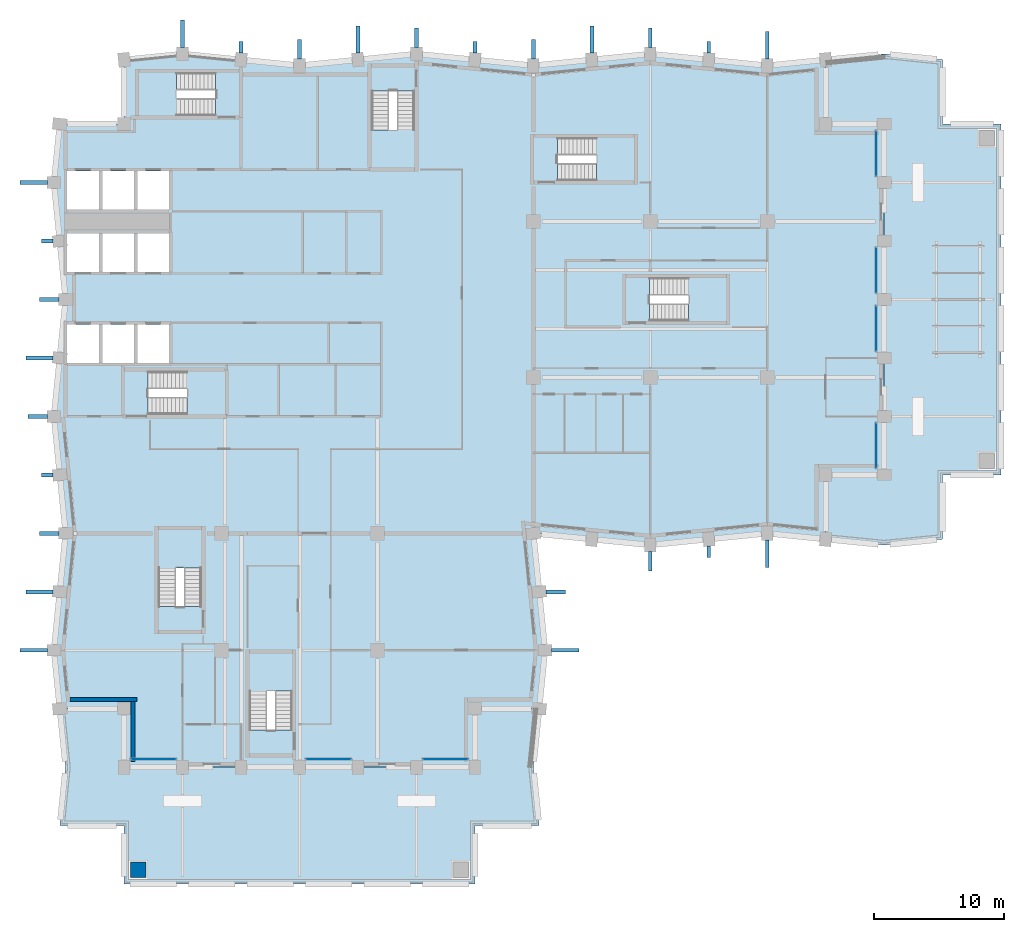
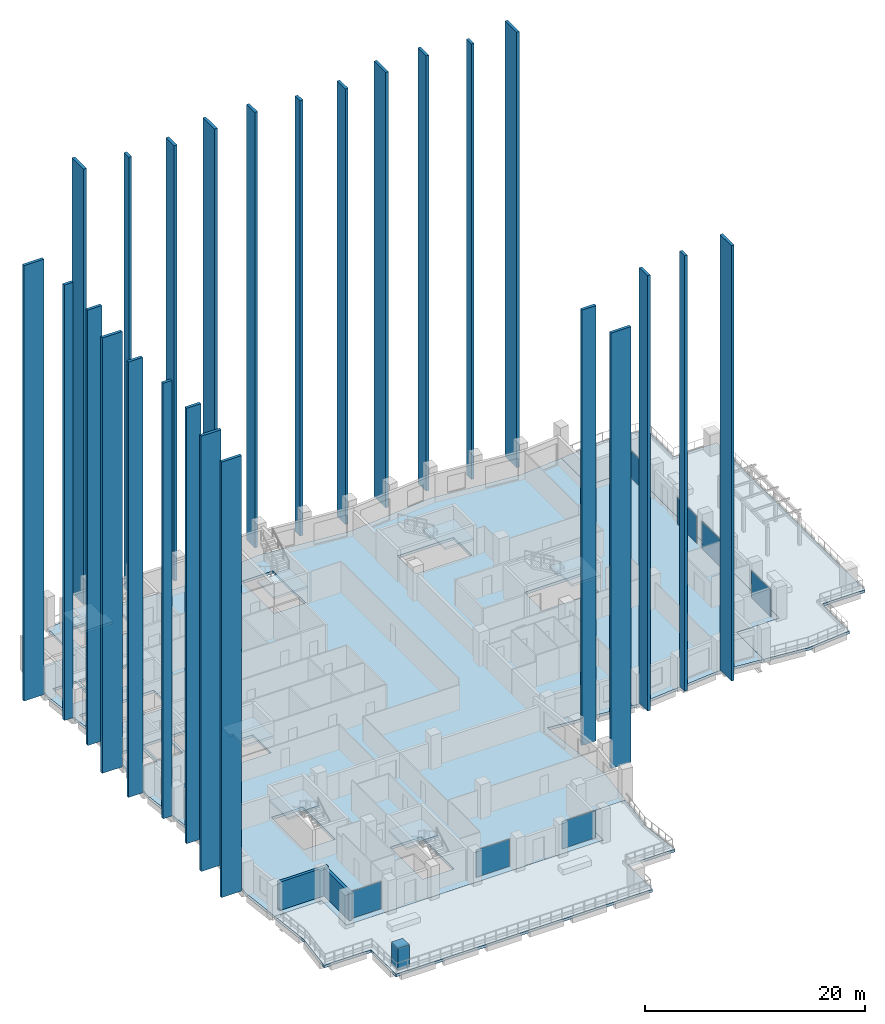
# One storey, part 9 of 18: 32 plates, 10 slabs, 3 walls, 14 elements without a shape of their own.
"""IFC4 building model written with IfcOpenShell, lengths in metres."""

import ifcopenshell
import ifcopenshell.guid

model = None  # the IFC model being written
_history = None  # IfcOwnerHistory: only IFC2X3 demands one
_inside = {}  # id of a spatial element -> (the spatial element, [elements in it])
_under = {}  # id of a project, library or spatial element -> (it, [spatial elements below it])
_declared = {}  # id of a project -> (the project, [libraries it declares])
_typed = {}  # id of a type object -> (the type object, [elements of that type])
_made_of = {}  # id of a material, layer set ... -> (it, [elements and type objects made of it])


def new_model(schema):
    """Start an empty IFC model of exactly this schema.

    Asked for "IFC4X3", IfcOpenShell would pick the latest addendum, in which some entities
    have other attributes; the version numbers below select the first issue.
    IFC2X3 requires an IfcOwnerHistory on every rooted entity: one is made here for all.
    """
    global model, _history
    if schema == "IFC4X3":
        model = ifcopenshell.file(schema_version=(4, 3, 0, 0))
    else:
        model = ifcopenshell.file(schema=schema)
    _inside.clear()
    _under.clear()
    _declared.clear()
    _typed.clear()
    _made_of.clear()
    _history = None
    if model.schema == "IFC2X3":
        org = make("IfcOrganization", Name="unknown")
        user = make(
            "IfcPersonAndOrganization",
            ThePerson=make("IfcPerson", FamilyName="unknown"),
            TheOrganization=org,
        )
        app = make(
            "IfcApplication",
            ApplicationDeveloper=org,
            Version="unknown",
            ApplicationFullName="unknown",
            ApplicationIdentifier="unknown",
        )
        _history = make(
            "IfcOwnerHistory",
            OwningUser=user,
            OwningApplication=app,
            ChangeAction="ADDED",
            CreationDate=0,
        )
    return model


def make(cls, **values):
    """One entity of the class cls with the attributes given. An attribute that is None is left unset."""
    return model.create_entity(
        cls, **{name: value for name, value in values.items() if value is not None}
    )


def rooted(cls, **values):
    """An entity with a GlobalId (a new one), such as an element, a storey or a relation."""
    return make(cls, GlobalId=ifcopenshell.guid.new(), OwnerHistory=_history, **values)


def si_unit(unit_type, name, prefix=None):
    """IfcSIUnit, for example si_unit("LENGTHUNIT", "METRE", prefix="MILLI")."""
    return make("IfcSIUnit", UnitType=unit_type, Prefix=prefix, Name=name)


def assignment(units):
    """IfcUnitAssignment: the units of a project."""
    return None if units is None else make("IfcUnitAssignment", Units=units)


def point(xyz):
    """IfcCartesianPoint."""
    return None if xyz is None else make("IfcCartesianPoint", Coordinates=xyz)


def direction(xyz):
    """IfcDirection."""
    return None if xyz is None else make("IfcDirection", DirectionRatios=xyz)


def frame(location, z_axis=None, x_axis=None):
    """IfcAxis2Placement3D, a coordinate frame: its origin and axes. An axis left out is left unset."""
    return make(
        "IfcAxis2Placement3D",
        Location=point(location),
        Axis=direction(z_axis),
        RefDirection=direction(x_axis),
    )


def frame_2d(location, x_axis=None):
    """IfcAxis2Placement2D, a coordinate frame in the plane: its origin and x axis."""
    return make(
        "IfcAxis2Placement2D", Location=point(location), RefDirection=direction(x_axis)
    )


def origin():
    """The frame at (0, 0, 0) with its axes left unset."""
    return frame((0.0, 0.0, 0.0))


def origin_2d():
    """The frame at (0, 0) in the plane with its x axis left unset."""
    return frame_2d((0.0, 0.0))


def place(relative_to, where):
    """IfcLocalPlacement: puts the frame where relative to a parent placement (None: the world)."""
    return make(
        "IfcLocalPlacement", PlacementRelTo=relative_to, RelativePlacement=where
    )


def context(
    kind, dimensions, precision=None, world=None, true_north=None, identifier=None
):
    """IfcGeometricRepresentationContext, for example the 3D "Model" context."""
    return make(
        "IfcGeometricRepresentationContext",
        ContextIdentifier=identifier,
        ContextType=kind,
        CoordinateSpaceDimension=dimensions,
        Precision=precision,
        WorldCoordinateSystem=world,
        TrueNorth=true_north,
    )


def subcontext(parent, identifier, kind, view, scale=None):
    """IfcGeometricRepresentationSubContext, for example "Body" below "Model"."""
    return make(
        "IfcGeometricRepresentationSubContext",
        ContextIdentifier=identifier,
        ContextType=kind,
        ParentContext=parent,
        TargetScale=scale,
        TargetView=view,
    )


def project(units=None, contexts=None):
    """IfcProject with its units and contexts."""
    return rooted(
        "IfcProject",
        Name="project",
        RepresentationContexts=contexts,
        UnitsInContext=assignment(units),
    )


def spatial(cls, under=None, at=None, **own):
    """A site, building, storey or space (cls), placed at a placement, below another one or the project."""
    s = rooted(cls, ObjectPlacement=at, **own)
    if under is not None:
        _under.setdefault(under.id(), (under, []))[1].append(s)
    return s


def polyline(points):
    """IfcPolyline through the points."""
    return make("IfcPolyline", Points=[point(p) for p in points])


def profile(cls, at=None, kind="AREA", **sizes):
    """A parametric profile (cls). Its sizes go by their IFC names, for example OverallWidth=200.0."""
    return make(cls, ProfileType=kind, Position=at, **sizes)


def rectangle(**sizes):
    """IfcRectangleProfileDef."""
    return profile("IfcRectangleProfileDef", **sizes)


def outline(outer, holes=None, kind="AREA"):
    """IfcArbitraryClosedProfileDef: a profile drawn as a closed curve; with holes, ...WithVoids."""
    if holes is None:
        return make("IfcArbitraryClosedProfileDef", ProfileType=kind, OuterCurve=outer)
    return make(
        "IfcArbitraryProfileDefWithVoids",
        ProfileType=kind,
        OuterCurve=outer,
        InnerCurves=holes,
    )


def extrude(swept, where, along, depth):
    """IfcExtrudedAreaSolid: the profile swept, set in the frame where, extruded along a direction by depth."""
    return make(
        "IfcExtrudedAreaSolid",
        SweptArea=swept,
        Position=where,
        ExtrudedDirection=direction(along),
        Depth=depth,
    )


def shape(context_of_items, identifier, shape_type, items):
    """IfcShapeRepresentation: the items that make up one representation, for example the "Body"."""
    return make(
        "IfcShapeRepresentation",
        ContextOfItems=context_of_items,
        RepresentationIdentifier=identifier,
        RepresentationType=shape_type,
        Items=items,
    )


def material(Name=None, Category=None):
    """IfcMaterial."""
    return make("IfcMaterial", Name=Name, Category=Category)


def layer(
    of_material, thickness, ventilated=None, Name=None, Category=None, Priority=None
):
    """IfcMaterialLayer: one layer of a wall or slab, of a material (None: an air gap)."""
    return make(
        "IfcMaterialLayer",
        Material=of_material,
        LayerThickness=thickness,
        IsVentilated=ventilated,
        Name=Name,
        Category=Category,
        Priority=Priority,
    )


def layer_set(layers, Name=None):
    """IfcMaterialLayerSet."""
    return make("IfcMaterialLayerSet", MaterialLayers=layers, LayerSetName=Name)


def made_of(thing, what):
    """Note that an element or type object is made of a material, layer set ...; save() writes the relation."""
    if what is not None:
        _made_of.setdefault(what.id(), (what, []))[1].append(thing)
    return thing


def type_object(cls, material=None, **own):
    """A type object (cls), such as IfcWallType, which elements share."""
    return made_of(rooted(cls, **own), material)


def element(
    cls,
    number,
    at=None,
    inside=None,
    cuts=None,
    type_object=None,
    material=None,
    context=None,
    identifier="Body",
    shape_type=None,
    held_by="IfcProductDefinitionShape",
    body=None,
    shapes=None,
    **own,
):
    """One element of the class cls, such as IfcWall. Its Tag is "e" and its number.

    at: its placement. inside: the storey or other place that contains it. cuts: it is an
    opening in that element (IfcRelVoidsElement). A single representation is given by context,
    identifier, shape_type and body (its items); several are given by shapes. held_by: the class
    of the entity that holds the representations. save() writes the other relations.
    """
    e = rooted(cls, Tag="e%d" % number, ObjectPlacement=at, **own)
    if body is not None:
        shapes = [shape(context, identifier, shape_type, body)]
    if shapes is not None:
        e.Representation = make(held_by, Representations=shapes)
    if inside is not None:
        _inside.setdefault(inside.id(), (inside, []))[1].append(e)
    if cuts is not None:
        rooted(
            "IfcRelVoidsElement", RelatingBuildingElement=cuts, RelatedOpeningElement=e
        )
    if type_object is not None:
        _typed.setdefault(type_object.id(), (type_object, []))[1].append(e)
    return made_of(e, material)


def aggregate(whole, parts):
    """IfcRelAggregates: a whole, such as a stair, and the parts it consists of."""
    return rooted("IfcRelAggregates", RelatingObject=whole, RelatedObjects=parts)


def save(model, path):
    """Write the relations noted so far, then the file.

    IfcRelAggregates (storeys below a building ...), IfcRelContainedInSpatialStructure (elements
    in a storey), IfcRelDefinesByType, IfcRelAssociatesMaterial and IfcRelDeclares: one each for
    every whole, place, type object, material and project.
    """
    for whole, parts in _under.values():
        aggregate(whole, parts)
    for where, things in _inside.values():
        rooted(
            "IfcRelContainedInSpatialStructure",
            RelatedElements=things,
            RelatingStructure=where,
        )
    for kind, things in _typed.values():
        rooted("IfcRelDefinesByType", RelatedObjects=things, RelatingType=kind)
    for what, things in _made_of.values():
        rooted("IfcRelAssociatesMaterial", RelatedObjects=things, RelatingMaterial=what)
    for by, libraries in _declared.values():
        rooted("IfcRelDeclares", RelatingContext=by, RelatedDefinitions=libraries)
    model.write(path)


model = new_model("IFC4")

# Units and contexts
model_context = context("Model", 3, precision=1e-05, world=origin(), true_north=direction((0.0, 1.0)))
body_context = subcontext(model_context, "Body", "Model", "MODEL_VIEW")
ifc_project = project(units=[si_unit("LENGTHUNIT", "METRE"), si_unit("AREAUNIT", "SQUARE_METRE"), si_unit("VOLUMEUNIT", "CUBIC_METRE"), si_unit("PLANEANGLEUNIT", "RADIAN"), si_unit("MASSUNIT", "GRAM", prefix="KILO")], contexts=[model_context])

# Site, building, storey
site_placement = place(None, origin())
site = spatial("IfcSite", under=ifc_project, at=site_placement, CompositionType="ELEMENT")
building_placement = place(site_placement, origin())
building = spatial("IfcBuilding", under=site, at=building_placement, Name="Brondeck Convention Tower", CompositionType="ELEMENT")
storey_placement = place(building_placement, frame((0.0, 0.0, 143.39990234375)))
storey = spatial("IfcBuildingStorey", under=building, at=storey_placement, Name="L34", CompositionType="ELEMENT", Elevation=143.39990234375)

# Curtain wall, plate
ifc_material_1 = material(Name="Aluminium, bronze anodised", Category="aluminium")
curtain_wall_type = type_object("IfcCurtainWallType", Name="Terrace door screen curtain wall", PredefinedType="NOTDEFINED", material=ifc_material_1)
curtain_wall_1_placement = place(storey_placement, origin())
curtain_wall_1 = element("IfcCurtainWall", 1, at=curtain_wall_1_placement, inside=storey, type_object=curtain_wall_type, Name="ENV-CW6-L34-B-S9-01", PredefinedType="NOTDEFINED")
ifc_material_2 = material(Name="Bronze tinted laminated glass", Category="glass")
ifc_layer_1 = layer(ifc_material_2, 0.006103515625, Name="Outer pane")
ifc_material_3 = material(Name="Argon-filled cavity")
ifc_layer_2 = layer(ifc_material_3, 0.011962890625, Name="Cavity")
ifc_material_4 = material(Name="Clear low-emissivity glass", Category="glass")
ifc_layer_3 = layer(ifc_material_4, 0.006103515625, Name="Inner pane")
ifc_layer_set_1 = layer_set([ifc_layer_1, ifc_layer_2, ifc_layer_3], Name="CW6 glazing panel")
plate_type_1 = type_object("IfcPlateType", Name="CW6 glazing panel", PredefinedType="CURTAIN_PANEL", material=ifc_layer_set_1)
plate_1_placement = place(storey_placement, frame((6.75, 9.610107421875, 0.05029296875), z_axis=(0.0, 0.0, 1.0), x_axis=(-1.0, 0.0, 0.0)))
plate_1 = element("IfcPlate", 2, at=plate_1_placement, type_object=plate_type_1, Name="CW6 panel 1.1", PredefinedType="CURTAIN_PANEL", context=body_context, shape_type="SweptSolid", body=[
    extrude(rectangle(XDim=3.5, YDim=0.02392578125, at=origin_2d()), origin(), (0.0, 0.0, 1.0), 3.050048828125),
])
aggregate(curtain_wall_1, [plate_1])

curtain_wall_2_placement = place(storey_placement, origin())
curtain_wall_2 = element("IfcCurtainWall", 3, at=curtain_wall_2_placement, inside=storey, type_object=curtain_wall_type, Name="ENV-CW6-L34-B-S9-04", PredefinedType="NOTDEFINED")
plate_2_placement = place(storey_placement, frame((20.25, 9.610107421875, 0.05029296875), z_axis=(0.0, 0.0, 1.0), x_axis=(-1.0, 0.0, 0.0)))
plate_2 = element("IfcPlate", 4, at=plate_2_placement, type_object=plate_type_1, Name="CW6 panel 1.1", PredefinedType="CURTAIN_PANEL", context=body_context, shape_type="SweptSolid", body=[
    extrude(rectangle(XDim=3.5, YDim=0.02392578125, at=origin_2d()), origin(), (0.0, 0.0, 1.0), 3.050048828125),
])
aggregate(curtain_wall_2, [plate_2])

curtain_wall_3_placement = place(storey_placement, origin())
curtain_wall_3 = element("IfcCurtainWall", 5, at=curtain_wall_3_placement, inside=storey, type_object=curtain_wall_type, Name="ENV-CW6-L34-B-S9-06", PredefinedType="NOTDEFINED")
plate_3_placement = place(storey_placement, frame((29.25, 9.610107421875, 0.05029296875), z_axis=(0.0, 0.0, 1.0), x_axis=(-1.0, 0.0, 0.0)))
plate_3 = element("IfcPlate", 6, at=plate_3_placement, type_object=plate_type_1, Name="CW6 panel 1.1", PredefinedType="CURTAIN_PANEL", context=body_context, shape_type="SweptSolid", body=[
    extrude(rectangle(XDim=3.5, YDim=0.02392578125, at=origin_2d()), origin(), (0.0, 0.0, 1.0), 3.050048828125),
])
aggregate(curtain_wall_3, [plate_3])

curtain_wall_4_placement = place(storey_placement, origin())
curtain_wall_4 = element("IfcCurtainWall", 7, at=curtain_wall_4_placement, inside=storey, type_object=curtain_wall_type, Name="ENV-CW6-L34-A-E63-01", PredefinedType="NOTDEFINED")
plate_4_placement = place(storey_placement, frame((62.389892578125, 33.75, 0.05029296875), z_axis=(0.0, 0.0, 1.0), x_axis=(0.0, -1.0, 0.0)))
plate_4 = element("IfcPlate", 8, at=plate_4_placement, type_object=plate_type_1, Name="CW6 panel 1.1", PredefinedType="CURTAIN_PANEL", context=body_context, shape_type="SweptSolid", body=[
    extrude(rectangle(XDim=3.5, YDim=0.02392578125, at=origin_2d()), origin(), (0.0, 0.0, 1.0), 3.050048828125),
])
aggregate(curtain_wall_4, [plate_4])

curtain_wall_5_placement = place(storey_placement, origin())
curtain_wall_5 = element("IfcCurtainWall", 9, at=curtain_wall_5_placement, inside=storey, type_object=curtain_wall_type, Name="ENV-CW6-L34-A-E63-03", PredefinedType="NOTDEFINED")
plate_5_placement = place(storey_placement, frame((62.389892578125, 42.75, 0.05029296875), z_axis=(0.0, 0.0, 1.0), x_axis=(0.0, -1.0, 0.0)))
plate_5 = element("IfcPlate", 10, at=plate_5_placement, type_object=plate_type_1, Name="CW6 panel 1.1", PredefinedType="CURTAIN_PANEL", context=body_context, shape_type="SweptSolid", body=[
    extrude(rectangle(XDim=3.5, YDim=0.02392578125, at=origin_2d()), origin(), (0.0, 0.0, 1.0), 3.050048828125),
])
aggregate(curtain_wall_5, [plate_5])

curtain_wall_6_placement = place(storey_placement, origin())
curtain_wall_6 = element("IfcCurtainWall", 11, at=curtain_wall_6_placement, inside=storey, type_object=curtain_wall_type, Name="ENV-CW6-L34-A-E63-04", PredefinedType="NOTDEFINED")
plate_6_placement = place(storey_placement, frame((62.389892578125, 47.25, 0.05029296875), z_axis=(0.0, 0.0, 1.0), x_axis=(0.0, -1.0, 0.0)))
plate_6 = element("IfcPlate", 12, at=plate_6_placement, type_object=plate_type_1, Name="CW6 panel 1.1", PredefinedType="CURTAIN_PANEL", context=body_context, shape_type="SweptSolid", body=[
    extrude(rectangle(XDim=3.5, YDim=0.02392578125, at=origin_2d()), origin(), (0.0, 0.0, 1.0), 3.050048828125),
])
aggregate(curtain_wall_6, [plate_6])

curtain_wall_7_placement = place(storey_placement, origin())
curtain_wall_7 = element("IfcCurtainWall", 13, at=curtain_wall_7_placement, inside=storey, type_object=curtain_wall_type, Name="ENV-CW6-L34-A-E63-06", PredefinedType="NOTDEFINED")
plate_7_placement = place(storey_placement, frame((62.389892578125, 56.25, 0.05029296875), z_axis=(0.0, 0.0, 1.0), x_axis=(0.0, -1.0, 0.0)))
plate_7 = element("IfcPlate", 14, at=plate_7_placement, type_object=plate_type_1, Name="CW6 panel 1.1", PredefinedType="CURTAIN_PANEL", context=body_context, shape_type="SweptSolid", body=[
    extrude(rectangle(XDim=3.5, YDim=0.02392578125, at=origin_2d()), origin(), (0.0, 0.0, 1.0), 3.050048828125),
])
aggregate(curtain_wall_7, [plate_7])

# Slab
ifc_material_5 = material(Name="Concrete C35/45", Category="concrete")
ifc_layer_4 = layer(ifc_material_5, 0.300048828125)
ifc_layer_set_2 = layer_set([ifc_layer_4], Name="Composite floor slab 300")
slab_type_1 = type_object("IfcSlabType", Name="Composite floor slab 300", PredefinedType="FLOOR", material=ifc_layer_set_2)
slab_1_placement = place(storey_placement, frame((0.0, 0.0, -0.2998046875)))
element("IfcSlab", 15, at=slab_1_placement, inside=storey, type_object=slab_type_1, Name="STR-SL-L34", PredefinedType="FLOOR", context=body_context, shape_type="SweptSolid", body=[
    extrude(outline(polyline([(4.5, 13.5), (-0.449951171875, 13.5), (-0.89990234375, 18.0), (0.0, 27.0), (-0.89990234375, 36.0), (0.0, 45.0), (-0.89990234375, 54.0), (-0.449951171875, 58.5), (4.5, 58.5), (4.5, 63.449951171875), (9.0, 63.89990234375), (18.0, 63.0), (27.0, 63.89990234375), (36.0, 63.0), (45.0, 63.89990234375), (54.0, 63.0), (58.5, 63.449951171875), (58.5, 58.5), (63.0, 58.5), (63.0, 31.5), (58.5, 31.5), (58.5, 26.550048828125), (54.0, 27.0), (45.0, 26.10009765625), (36.0, 27.0), (36.89990234375, 18.0), (36.449951171875, 13.5), (31.5, 13.5), (31.5, 9.0), (4.5, 9.0), (4.5, 13.5)]), holes=[polyline([(2.574951171875, 40.125), (2.574951171875, 43.074951171875), (0.125, 43.074951171875), (0.125, 40.125), (2.574951171875, 40.125)]), polyline([(5.27490234375, 40.125), (5.27490234375, 43.074951171875), (2.824951171875, 43.074951171875), (2.824951171875, 40.125), (5.27490234375, 40.125)]), polyline([(7.97509765625, 40.125), (7.97509765625, 43.074951171875), (5.52490234375, 43.074951171875), (5.52490234375, 40.125), (7.97509765625, 40.125)]), polyline([(2.574951171875, 47.125), (2.574951171875, 50.074951171875), (0.125, 50.074951171875), (0.125, 47.125), (2.574951171875, 47.125)]), polyline([(5.27490234375, 47.125), (5.27490234375, 50.074951171875), (2.824951171875, 50.074951171875), (2.824951171875, 47.125), (5.27490234375, 47.125)]), polyline([(7.97509765625, 47.125), (7.97509765625, 50.074951171875), (5.52490234375, 50.074951171875), (5.52490234375, 47.125), (7.97509765625, 47.125)]), polyline([(2.574951171875, 51.925048828125), (2.574951171875, 54.875), (0.125, 54.875), (0.125, 51.925048828125), (2.574951171875, 51.925048828125)]), polyline([(5.27490234375, 51.925048828125), (5.27490234375, 54.875), (2.824951171875, 54.875), (2.824951171875, 51.925048828125), (5.27490234375, 51.925048828125)]), polyline([(17.447998046875, 17.748046875), (14.152099609375, 17.748046875), (14.152099609375, 11.85205078125), (17.447998046875, 11.85205078125), (17.447998046875, 17.748046875)]), polyline([(10.447998046875, 27.248046875), (7.152099609375, 27.248046875), (7.152099609375, 21.35205078125), (10.447998046875, 21.35205078125), (10.447998046875, 27.248046875)]), polyline([(12.248046875, 36.152099609375), (12.248046875, 39.447998046875), (6.35205078125, 39.447998046875), (6.35205078125, 36.152099609375), (12.248046875, 36.152099609375)]), polyline([(50.847900390625, 43.35205078125), (50.847900390625, 46.64794921875), (44.951904296875, 46.64794921875), (44.951904296875, 43.35205078125), (50.847900390625, 43.35205078125)]), polyline([(7.97509765625, 51.925048828125), (7.97509765625, 54.875), (5.52490234375, 54.875), (5.52490234375, 51.925048828125), (7.97509765625, 51.925048828125)]), polyline([(43.748046875, 54.152099609375), (43.748046875, 57.447998046875), (37.85205078125, 57.447998046875), (37.85205078125, 54.152099609375), (43.748046875, 54.152099609375)]), polyline([(23.552001953125, 55.152099609375), (26.847900390625, 55.152099609375), (26.847900390625, 61.048095703125), (23.552001953125, 61.048095703125), (23.552001953125, 55.152099609375)]), polyline([(5.652099609375, 62.447998046875), (5.652099609375, 59.152099609375), (11.548095703125, 59.152099609375), (11.548095703125, 62.447998046875), (5.652099609375, 62.447998046875)])]), origin(), (0.0, 0.0, 1.0), 0.2998046875),
])

# Stair, slab
ifc_material_6 = material(Name="Precast concrete C50/60", Category="concrete")
stair_type = type_object("IfcStairType", Name="Core stair 22 risers 172.73 mm riser 300 mm going 1350 wide", PredefinedType="HALF_TURN_STAIR", material=ifc_material_6)
stair_1_placement = place(storey_placement, origin())
stair_1 = element("IfcStair", 16, at=stair_1_placement, inside=storey, type_object=stair_type, Name="ST-1 L34 stair", PredefinedType="HALF_TURN_STAIR")
ifc_layer_5 = layer(ifc_material_6, 0.25)
ifc_layer_set_3 = layer_set([ifc_layer_5], Name="Core stair landing 250 Precast concrete C50/60")
slab_type_2 = type_object("IfcSlabType", Name="Core stair landing 250 Precast concrete C50/60", PredefinedType="LANDING", material=ifc_layer_set_3)
slab_2_placement = place(storey_placement, frame((0.0, 0.0, 1.650146484375)))
slab_2 = element("IfcSlab", 17, at=slab_2_placement, type_object=slab_type_2, Name="ST-1 landing 1", PredefinedType="LANDING", context=body_context, shape_type="SweptSolid", body=[
    extrude(outline(polyline([(9.347900390625, 37.5), (9.35009765625, 37.5), (9.35009765625, 38.10009765625), (9.050048828125, 38.10009765625), (9.050048828125, 39.570068359375), (12.3701171875, 39.570068359375), (12.3701171875, 36.030029296875), (9.347900390625, 36.030029296875), (9.347900390625, 37.5)])), origin(), (0.0, 0.0, 1.0), 0.25),
])
aggregate(stair_1, [slab_2])

stair_2_placement = place(storey_placement, origin())
stair_2 = element("IfcStair", 18, at=stair_2_placement, inside=storey, type_object=stair_type, Name="ST-2 L34 stair", PredefinedType="HALF_TURN_STAIR")
slab_3_placement = place(storey_placement, frame((0.0, 0.0, 1.650146484375)))
slab_3 = element("IfcSlab", 19, at=slab_3_placement, type_object=slab_type_2, Name="ST-2 landing 1", PredefinedType="LANDING", context=body_context, shape_type="SweptSolid", body=[
    extrude(outline(polyline([(23.429931640625, 58.052001953125), (24.89990234375, 58.052001953125), (24.89990234375, 58.050048828125), (25.5, 58.050048828125), (25.5, 58.35009765625), (26.969970703125, 58.35009765625), (26.969970703125, 55.030029296875), (23.429931640625, 55.030029296875), (23.429931640625, 58.052001953125)])), origin(), (0.0, 0.0, 1.0), 0.25),
])
aggregate(stair_2, [slab_3])

stair_3_placement = place(storey_placement, origin())
stair_3 = element("IfcStair", 20, at=stair_3_placement, inside=storey, type_object=stair_type, Name="ST-3 L34 stair", PredefinedType="HALF_TURN_STAIR")
slab_4_placement = place(storey_placement, frame((0.0, 0.0, 1.650146484375)))
slab_4 = element("IfcSlab", 21, at=slab_4_placement, type_object=slab_type_2, Name="ST-3 landing 1", PredefinedType="LANDING", context=body_context, shape_type="SweptSolid", body=[
    extrude(outline(polyline([(8.85009765625, 60.5), (8.85009765625, 59.030029296875), (5.530029296875, 59.030029296875), (5.530029296875, 62.570068359375), (8.552001953125, 62.570068359375), (8.552001953125, 61.10009765625), (8.550048828125, 61.10009765625), (8.550048828125, 60.5), (8.85009765625, 60.5)])), origin(), (0.0, 0.0, 1.0), 0.25),
])
aggregate(stair_3, [slab_4])

stair_4_placement = place(storey_placement, origin())
stair_4 = element("IfcStair", 22, at=stair_4_placement, inside=storey, type_object=stair_type, Name="ST-AE L34 stair", PredefinedType="HALF_TURN_STAIR")
slab_5_placement = place(storey_placement, frame((0.0, 0.0, 1.650146484375)))
slab_5 = element("IfcSlab", 23, at=slab_5_placement, type_object=slab_type_2, Name="ST-AE landing 1", PredefinedType="LANDING", context=body_context, shape_type="SweptSolid", body=[
    extrude(outline(polyline([(40.847900390625, 55.5), (40.85009765625, 55.5), (40.85009765625, 56.10009765625), (40.550048828125, 56.10009765625), (40.550048828125, 57.570068359375), (43.8701171875, 57.570068359375), (43.8701171875, 54.030029296875), (40.847900390625, 54.030029296875), (40.847900390625, 55.5)])), origin(), (0.0, 0.0, 1.0), 0.25),
])
aggregate(stair_4, [slab_5])

stair_5_placement = place(storey_placement, origin())
stair_5 = element("IfcStair", 24, at=stair_5_placement, inside=storey, type_object=stair_type, Name="ST-BE L34 stair", PredefinedType="HALF_TURN_STAIR")
slab_6_placement = place(storey_placement, frame((0.0, 0.0, 1.650146484375)))
slab_6 = element("IfcSlab", 25, at=slab_6_placement, type_object=slab_type_2, Name="ST-BE landing 1", PredefinedType="LANDING", context=body_context, shape_type="SweptSolid", body=[
    extrude(outline(polyline([(7.030029296875, 24.050048828125), (7.030029296875, 27.3701171875), (10.570068359375, 27.3701171875), (10.570068359375, 24.347900390625), (9.10009765625, 24.347900390625), (9.10009765625, 24.35009765625), (8.5, 24.35009765625), (8.5, 24.050048828125), (7.030029296875, 24.050048828125)])), origin(), (0.0, 0.0, 1.0), 0.25),
])
aggregate(stair_5, [slab_6])

stair_6_placement = place(storey_placement, origin())
stair_6 = element("IfcStair", 26, at=stair_6_placement, inside=storey, type_object=stair_type, Name="ST-AF L34 stair", PredefinedType="HALF_TURN_STAIR")
slab_7_placement = place(storey_placement, frame((0.0, 0.0, 1.650146484375)))
slab_7 = element("IfcSlab", 27, at=slab_7_placement, type_object=slab_type_2, Name="ST-AF landing 1", PredefinedType="LANDING", context=body_context, shape_type="SweptSolid", body=[
    extrude(outline(polyline([(47.947998046875, 44.699951171875), (47.949951171875, 44.699951171875), (47.949951171875, 45.300048828125), (47.64990234375, 45.300048828125), (47.64990234375, 46.77001953125), (50.969970703125, 46.77001953125), (50.969970703125, 43.22998046875), (47.947998046875, 43.22998046875), (47.947998046875, 44.699951171875)])), origin(), (0.0, 0.0, 1.0), 0.25),
])
aggregate(stair_6, [slab_7])

stair_7_placement = place(storey_placement, origin())
stair_7 = element("IfcStair", 28, at=stair_7_placement, inside=storey, type_object=stair_type, Name="ST-BF L34 stair", PredefinedType="HALF_TURN_STAIR")
slab_8_placement = place(storey_placement, frame((0.0, 0.0, 1.650146484375)))
slab_8 = element("IfcSlab", 29, at=slab_8_placement, type_object=slab_type_2, Name="ST-BF landing 1", PredefinedType="LANDING", context=body_context, shape_type="SweptSolid", body=[
    extrude(outline(polyline([(14.030029296875, 14.550048828125), (14.030029296875, 17.8701171875), (17.570068359375, 17.8701171875), (17.570068359375, 14.847900390625), (16.10009765625, 14.847900390625), (16.10009765625, 14.85009765625), (15.5, 14.85009765625), (15.5, 14.550048828125), (14.030029296875, 14.550048828125)])), origin(), (0.0, 0.0, 1.0), 0.25),
])
aggregate(stair_7, [slab_8])

# Plates
ifc_layer_6 = layer(ifc_material_6, 0.300048828125)
ifc_layer_set_4 = layer_set([ifc_layer_6], Name="Facade fin FN1 300 x 900 Precast concrete C50/60")
plate_type_2 = type_object("IfcPlateType", Name="Facade fin FN1 300 x 900 Precast concrete C50/60", PredefinedType="USERDEFINED", material=ifc_layer_set_4)
plate_8_placement = place(storey_placement, frame((0.0, 0.0, 0.5)))
element("IfcPlate", 30, at=plate_8_placement, inside=storey, type_object=plate_type_2, Name="ENV-FN-A-S-Z3-03", ObjectType="FIN", PredefinedType="USERDEFINED", context=body_context, shape_type="SweptSolid", body=[
    extrude(outline(polyline([(49.64990234375, 25.139892578125), (49.64990234375, 26.0400390625), (49.35009765625, 26.0400390625), (49.35009765625, 25.139892578125), (49.64990234375, 25.139892578125)])), origin(), (0.0, 0.0, 1.0), 48.400146484375),
])
plate_9_placement = place(storey_placement, frame((0.0, 0.0, 0.5)))
element("IfcPlate", 31, at=plate_9_placement, inside=storey, type_object=plate_type_2, Name="ENV-FN-A-N-Z3-03", ObjectType="FIN", PredefinedType="USERDEFINED", context=body_context, shape_type="SweptSolid", body=[
    extrude(outline(polyline([(13.35009765625, 64.860107421875), (13.35009765625, 63.9599609375), (13.64990234375, 63.9599609375), (13.64990234375, 64.860107421875), (13.35009765625, 64.860107421875)])), origin(), (0.0, 0.0, 1.0), 48.400146484375),
])
plate_10_placement = place(storey_placement, frame((0.0, 0.0, 0.5)))
element("IfcPlate", 32, at=plate_10_placement, inside=storey, type_object=plate_type_2, Name="ENV-FN-A-N-Z3-07", ObjectType="FIN", PredefinedType="USERDEFINED", context=body_context, shape_type="SweptSolid", body=[
    extrude(outline(polyline([(31.35009765625, 64.860107421875), (31.35009765625, 63.9599609375), (31.64990234375, 63.9599609375), (31.64990234375, 64.860107421875), (31.35009765625, 64.860107421875)])), origin(), (0.0, 0.0, 1.0), 48.400146484375),
])
plate_11_placement = place(storey_placement, frame((0.0, 0.0, 0.5)))
element("IfcPlate", 33, at=plate_11_placement, inside=storey, type_object=plate_type_2, Name="ENV-FN-A-N-Z3-11", ObjectType="FIN", PredefinedType="USERDEFINED", context=body_context, shape_type="SweptSolid", body=[
    extrude(outline(polyline([(49.35009765625, 64.860107421875), (49.35009765625, 63.9599609375), (49.64990234375, 63.9599609375), (49.64990234375, 64.860107421875), (49.35009765625, 64.860107421875)])), origin(), (0.0, 0.0, 1.0), 48.400146484375),
])
plate_12_placement = place(storey_placement, frame((0.0, 0.0, 0.5)))
element("IfcPlate", 34, at=plate_12_placement, inside=storey, type_object=plate_type_2, Name="ENV-FN-B-W-Z3-03", ObjectType="FIN", PredefinedType="USERDEFINED", context=body_context, shape_type="SweptSolid", body=[
    extrude(outline(polyline([(-1.860107421875, 49.35009765625), (-0.9599609375, 49.35009765625), (-0.9599609375, 49.64990234375), (-1.860107421875, 49.64990234375), (-1.860107421875, 49.35009765625)])), origin(), (0.0, 0.0, 1.0), 48.400146484375),
])
plate_13_placement = place(storey_placement, frame((0.0, 0.0, 0.5)))
element("IfcPlate", 35, at=plate_13_placement, inside=storey, type_object=plate_type_2, Name="ENV-FN-B-W-Z3-07", ObjectType="FIN", PredefinedType="USERDEFINED", context=body_context, shape_type="SweptSolid", body=[
    extrude(outline(polyline([(-1.860107421875, 31.35009765625), (-0.9599609375, 31.35009765625), (-0.9599609375, 31.64990234375), (-1.860107421875, 31.64990234375), (-1.860107421875, 31.35009765625)])), origin(), (0.0, 0.0, 1.0), 48.400146484375),
])
ifc_layer_7 = layer(ifc_material_6, 0.300048828125)
ifc_layer_set_5 = layer_set([ifc_layer_7], Name="Facade fin FN2 300 x 1500 Precast concrete C50/60")
plate_type_3 = type_object("IfcPlateType", Name="Facade fin FN2 300 x 1500 Precast concrete C50/60", PredefinedType="USERDEFINED", material=ifc_layer_set_5)
plate_14_placement = place(storey_placement, frame((0.0, 0.0, 0.5)))
element("IfcPlate", 36, at=plate_14_placement, inside=storey, type_object=plate_type_3, Name="ENV-FN-B-E-Z3-01", ObjectType="FIN", PredefinedType="USERDEFINED", context=body_context, shape_type="SweptSolid", body=[
    extrude(outline(polyline([(38.4599609375, 22.64990234375), (36.9599609375, 22.64990234375), (36.9599609375, 22.35009765625), (38.4599609375, 22.35009765625), (38.4599609375, 22.64990234375)])), origin(), (0.0, 0.0, 1.0), 48.400146484375),
])
plate_15_placement = place(storey_placement, frame((0.0, 0.0, 0.5)))
element("IfcPlate", 37, at=plate_15_placement, inside=storey, type_object=plate_type_3, Name="ENV-FN-A-S-Z3-02", ObjectType="FIN", PredefinedType="USERDEFINED", context=body_context, shape_type="SweptSolid", body=[
    extrude(outline(polyline([(45.14990234375, 24.090087890625), (45.14990234375, 25.590087890625), (44.85009765625, 25.590087890625), (44.85009765625, 24.090087890625), (45.14990234375, 24.090087890625)])), origin(), (0.0, 0.0, 1.0), 48.400146484375),
])
plate_16_placement = place(storey_placement, frame((0.0, 0.0, 0.5)))
element("IfcPlate", 38, at=plate_16_placement, inside=storey, type_object=plate_type_3, Name="ENV-FN-A-N-Z3-04", ObjectType="FIN", PredefinedType="USERDEFINED", context=body_context, shape_type="SweptSolid", body=[
    extrude(outline(polyline([(17.85009765625, 65.010009765625), (17.85009765625, 63.510009765625), (18.14990234375, 63.510009765625), (18.14990234375, 65.010009765625), (17.85009765625, 65.010009765625)])), origin(), (0.0, 0.0, 1.0), 48.400146484375),
])
plate_17_placement = place(storey_placement, frame((0.0, 0.0, 0.5)))
element("IfcPlate", 39, at=plate_17_placement, inside=storey, type_object=plate_type_3, Name="ENV-FN-A-N-Z3-06", ObjectType="FIN", PredefinedType="USERDEFINED", context=body_context, shape_type="SweptSolid", body=[
    extrude(outline(polyline([(26.85009765625, 65.909912109375), (26.85009765625, 64.409912109375), (27.14990234375, 64.409912109375), (27.14990234375, 65.909912109375), (26.85009765625, 65.909912109375)])), origin(), (0.0, 0.0, 1.0), 48.400146484375),
])
plate_18_placement = place(storey_placement, frame((0.0, 0.0, 0.5)))
element("IfcPlate", 40, at=plate_18_placement, inside=storey, type_object=plate_type_3, Name="ENV-FN-A-N-Z3-08", ObjectType="FIN", PredefinedType="USERDEFINED", context=body_context, shape_type="SweptSolid", body=[
    extrude(outline(polyline([(35.85009765625, 65.010009765625), (35.85009765625, 63.510009765625), (36.14990234375, 63.510009765625), (36.14990234375, 65.010009765625), (35.85009765625, 65.010009765625)])), origin(), (0.0, 0.0, 1.0), 48.400146484375),
])
plate_19_placement = place(storey_placement, frame((0.0, 0.0, 0.5)))
element("IfcPlate", 41, at=plate_19_placement, inside=storey, type_object=plate_type_3, Name="ENV-FN-A-N-Z3-10", ObjectType="FIN", PredefinedType="USERDEFINED", context=body_context, shape_type="SweptSolid", body=[
    extrude(outline(polyline([(44.85009765625, 65.909912109375), (44.85009765625, 64.409912109375), (45.14990234375, 64.409912109375), (45.14990234375, 65.909912109375), (44.85009765625, 65.909912109375)])), origin(), (0.0, 0.0, 1.0), 48.400146484375),
])
plate_20_placement = place(storey_placement, frame((0.0, 0.0, 0.5)))
element("IfcPlate", 42, at=plate_20_placement, inside=storey, type_object=plate_type_3, Name="ENV-FN-B-W-Z3-04", ObjectType="FIN", PredefinedType="USERDEFINED", context=body_context, shape_type="SweptSolid", body=[
    extrude(outline(polyline([(-2.010009765625, 44.85009765625), (-0.510009765625, 44.85009765625), (-0.510009765625, 45.14990234375), (-2.010009765625, 45.14990234375), (-2.010009765625, 44.85009765625)])), origin(), (0.0, 0.0, 1.0), 48.400146484375),
])
plate_21_placement = place(storey_placement, frame((0.0, 0.0, 0.5)))
element("IfcPlate", 43, at=plate_21_placement, inside=storey, type_object=plate_type_3, Name="ENV-FN-B-W-Z3-06", ObjectType="FIN", PredefinedType="USERDEFINED", context=body_context, shape_type="SweptSolid", body=[
    extrude(outline(polyline([(-2.909912109375, 35.85009765625), (-1.409912109375, 35.85009765625), (-1.409912109375, 36.14990234375), (-2.909912109375, 36.14990234375), (-2.909912109375, 35.85009765625)])), origin(), (0.0, 0.0, 1.0), 48.400146484375),
])
plate_22_placement = place(storey_placement, frame((0.0, 0.0, 0.5)))
element("IfcPlate", 44, at=plate_22_placement, inside=storey, type_object=plate_type_3, Name="ENV-FN-B-W-Z3-08", ObjectType="FIN", PredefinedType="USERDEFINED", context=body_context, shape_type="SweptSolid", body=[
    extrude(outline(polyline([(-2.010009765625, 26.85009765625), (-0.510009765625, 26.85009765625), (-0.510009765625, 27.14990234375), (-2.010009765625, 27.14990234375), (-2.010009765625, 26.85009765625)])), origin(), (0.0, 0.0, 1.0), 48.400146484375),
])
ifc_layer_8 = layer(ifc_material_6, 0.300048828125)
ifc_layer_set_6 = layer_set([ifc_layer_8], Name="Facade fin FN3 300 x 2100 Precast concrete C50/60")
plate_type_4 = type_object("IfcPlateType", Name="Facade fin FN3 300 x 2100 Precast concrete C50/60", PredefinedType="USERDEFINED", material=ifc_layer_set_6)
plate_23_placement = place(storey_placement, frame((0.0, 0.0, 0.5)))
element("IfcPlate", 45, at=plate_23_placement, inside=storey, type_object=plate_type_4, Name="ENV-FN-B-E-Z3-02", ObjectType="FIN", PredefinedType="USERDEFINED", context=body_context, shape_type="SweptSolid", body=[
    extrude(outline(polyline([(39.510009765625, 18.14990234375), (37.409912109375, 18.14990234375), (37.409912109375, 17.85009765625), (39.510009765625, 17.85009765625), (39.510009765625, 18.14990234375)])), origin(), (0.0, 0.0, 1.0), 48.400146484375),
])
plate_24_placement = place(storey_placement, frame((0.0, 0.0, 0.5)))
element("IfcPlate", 46, at=plate_24_placement, inside=storey, type_object=plate_type_4, Name="ENV-FN-A-S-Z3-04", ObjectType="FIN", PredefinedType="USERDEFINED", context=body_context, shape_type="SweptSolid", body=[
    extrude(outline(polyline([(54.14990234375, 24.389892578125), (54.14990234375, 26.489990234375), (53.85009765625, 26.489990234375), (53.85009765625, 24.389892578125), (54.14990234375, 24.389892578125)])), origin(), (0.0, 0.0, 1.0), 48.400146484375),
])
plate_25_placement = place(storey_placement, frame((0.0, 0.0, 0.5)))
element("IfcPlate", 47, at=plate_25_placement, inside=storey, type_object=plate_type_4, Name="ENV-FN-A-N-Z3-02", ObjectType="FIN", PredefinedType="USERDEFINED", context=body_context, shape_type="SweptSolid", body=[
    extrude(outline(polyline([(8.85009765625, 66.510009765625), (8.85009765625, 64.409912109375), (9.14990234375, 64.409912109375), (9.14990234375, 66.510009765625), (8.85009765625, 66.510009765625)])), origin(), (0.0, 0.0, 1.0), 48.400146484375),
])
plate_26_placement = place(storey_placement, frame((0.0, 0.0, 0.5)))
element("IfcPlate", 48, at=plate_26_placement, inside=storey, type_object=plate_type_4, Name="ENV-FN-A-N-Z3-05", ObjectType="FIN", PredefinedType="USERDEFINED", context=body_context, shape_type="SweptSolid", body=[
    extrude(outline(polyline([(22.35009765625, 66.06005859375), (22.35009765625, 63.9599609375), (22.64990234375, 63.9599609375), (22.64990234375, 66.06005859375), (22.35009765625, 66.06005859375)])), origin(), (0.0, 0.0, 1.0), 48.400146484375),
])
plate_27_placement = place(storey_placement, frame((0.0, 0.0, 0.5)))
element("IfcPlate", 49, at=plate_27_placement, inside=storey, type_object=plate_type_4, Name="ENV-FN-A-N-Z3-09", ObjectType="FIN", PredefinedType="USERDEFINED", context=body_context, shape_type="SweptSolid", body=[
    extrude(outline(polyline([(40.35009765625, 66.06005859375), (40.35009765625, 63.9599609375), (40.64990234375, 63.9599609375), (40.64990234375, 66.06005859375), (40.35009765625, 66.06005859375)])), origin(), (0.0, 0.0, 1.0), 48.400146484375),
])
plate_28_placement = place(storey_placement, frame((0.0, 0.0, 0.5)))
element("IfcPlate", 50, at=plate_28_placement, inside=storey, type_object=plate_type_4, Name="ENV-FN-A-N-Z3-12", ObjectType="FIN", PredefinedType="USERDEFINED", context=body_context, shape_type="SweptSolid", body=[
    extrude(outline(polyline([(53.85009765625, 65.610107421875), (53.85009765625, 63.510009765625), (54.14990234375, 63.510009765625), (54.14990234375, 65.610107421875), (53.85009765625, 65.610107421875)])), origin(), (0.0, 0.0, 1.0), 48.400146484375),
])
plate_29_placement = place(storey_placement, frame((0.0, 0.0, 0.5)))
element("IfcPlate", 51, at=plate_29_placement, inside=storey, type_object=plate_type_4, Name="ENV-FN-B-W-Z3-02", ObjectType="FIN", PredefinedType="USERDEFINED", context=body_context, shape_type="SweptSolid", body=[
    extrude(outline(polyline([(-3.510009765625, 53.85009765625), (-1.409912109375, 53.85009765625), (-1.409912109375, 54.14990234375), (-3.510009765625, 54.14990234375), (-3.510009765625, 53.85009765625)])), origin(), (0.0, 0.0, 1.0), 48.400146484375),
])
plate_30_placement = place(storey_placement, frame((0.0, 0.0, 0.5)))
element("IfcPlate", 52, at=plate_30_placement, inside=storey, type_object=plate_type_4, Name="ENV-FN-B-W-Z3-05", ObjectType="FIN", PredefinedType="USERDEFINED", context=body_context, shape_type="SweptSolid", body=[
    extrude(outline(polyline([(-3.06005859375, 40.35009765625), (-0.9599609375, 40.35009765625), (-0.9599609375, 40.64990234375), (-3.06005859375, 40.64990234375), (-3.06005859375, 40.35009765625)])), origin(), (0.0, 0.0, 1.0), 48.400146484375),
])
plate_31_placement = place(storey_placement, frame((0.0, 0.0, 0.5)))
element("IfcPlate", 53, at=plate_31_placement, inside=storey, type_object=plate_type_4, Name="ENV-FN-B-W-Z3-09", ObjectType="FIN", PredefinedType="USERDEFINED", context=body_context, shape_type="SweptSolid", body=[
    extrude(outline(polyline([(-3.06005859375, 22.35009765625), (-0.9599609375, 22.35009765625), (-0.9599609375, 22.64990234375), (-3.06005859375, 22.64990234375), (-3.06005859375, 22.35009765625)])), origin(), (0.0, 0.0, 1.0), 48.400146484375),
])
plate_32_placement = place(storey_placement, frame((0.0, 0.0, 0.5)))
element("IfcPlate", 54, at=plate_32_placement, inside=storey, type_object=plate_type_4, Name="ENV-FN-B-W-Z3-10", ObjectType="FIN", PredefinedType="USERDEFINED", context=body_context, shape_type="SweptSolid", body=[
    extrude(outline(polyline([(-3.510009765625, 17.85009765625), (-1.409912109375, 17.85009765625), (-1.409912109375, 18.14990234375), (-3.510009765625, 18.14990234375), (-3.510009765625, 17.85009765625)])), origin(), (0.0, 0.0, 1.0), 48.400146484375),
])

# Slabs
ifc_layer_9 = layer(ifc_material_5, 0.300048828125)
ifc_layer_set_7 = layer_set([ifc_layer_9], Name="Roof slab, terrace and crown")
slab_type_3 = type_object("IfcSlabType", Name="Roof slab, terrace and crown", PredefinedType="ROOF", material=ifc_layer_set_7)
slab_9_placement = place(storey_placement, frame((0.0, 0.0, -0.2998046875)))
element("IfcSlab", 55, at=slab_9_placement, inside=storey, type_object=slab_type_3, Name="ENV-S1-1-SL", PredefinedType="ROOF", context=body_context, shape_type="SweptSolid", body=[
    extrude(outline(polyline([(36.0, 9.0), (36.449951171875, 13.5), (31.5, 13.5), (31.5, 9.0), (4.5, 9.0), (4.5, 13.5), (-0.449951171875, 13.5), (0.0, 9.0), (-0.449951171875, 4.5), (4.5, 4.5), (4.5, 0.0), (31.5, 0.0), (31.5, 4.5), (36.449951171875, 4.5), (36.0, 9.0)])), origin(), (0.0, 0.0, 1.0), 0.2998046875),
])
slab_10_placement = place(storey_placement, frame((0.0, 0.0, -0.2998046875)))
element("IfcSlab", 56, at=slab_10_placement, inside=storey, type_object=slab_type_3, Name="ENV-S1-2-SL", PredefinedType="ROOF", context=body_context, shape_type="SweptSolid", body=[
    extrude(outline(polyline([(63.0, 63.89990234375), (58.5, 63.449951171875), (58.5, 58.5), (63.0, 58.5), (63.0, 31.5), (58.5, 31.5), (58.5, 26.550048828125), (63.0, 26.10009765625), (67.5, 26.550048828125), (67.5, 31.5), (72.0, 31.5), (72.0, 58.5), (67.5, 58.5), (67.5, 63.449951171875), (63.0, 63.89990234375)])), origin(), (0.0, 0.0, 1.0), 0.2998046875),
])

# Walls
ifc_material_7 = material(Name="Precast concrete C50/60 bronze finish", Category="concrete")
ifc_layer_10 = layer(ifc_material_7, 0.070068359375, Name="Bronze precast facing")
ifc_material_8 = material(Name="Mineral wool")
ifc_layer_11 = layer(ifc_material_8, 0.159912109375, Name="Insulation")
ifc_layer_12 = layer(ifc_material_5, 0.070068359375, Name="Backing")
ifc_layer_set_8 = layer_set([ifc_layer_10, ifc_layer_11, ifc_layer_12], Name="External infill wall, precast concrete C50/60 bronze facing")
wall_type_1 = type_object("IfcWallType", Name="External infill wall, precast concrete C50/60 bronze facing", PredefinedType="SOLIDWALL", material=ifc_layer_set_8)
wall_1_placement = place(storey_placement, frame((5.5, 14.199951171875, 0.0), z_axis=(0.0, 0.0, 1.0), x_axis=(-1.0, 0.0, 0.0)))
element("IfcWall", 57, at=wall_1_placement, inside=storey, type_object=wall_type_1, Name="ENV-EW-L34-P1-NC-SWB9-01", PredefinedType="SOLIDWALL", context=body_context, shape_type="SweptSolid", body=[
    extrude(rectangle(XDim=5.16455078125, YDim=0.300048828125, at=frame_2d((2.582275390625, 0.0))), origin(), (0.0, 0.0, 1.0), 3.150146484375),
])
wall_2_placement = place(storey_placement, frame((5.199951171875, 9.449951171875, 0.0), z_axis=(0.0, 0.0, 1.0), x_axis=(0.0, 1.0, 0.0)))
element("IfcWall", 58, at=wall_2_placement, inside=storey, type_object=wall_type_1, Name="ENV-EW-L34-P1-NC-SWB9-02", PredefinedType="SOLIDWALL", context=body_context, shape_type="SweptSolid", body=[
    extrude(rectangle(XDim=4.60205078125, YDim=0.300048828125, at=frame_2d((2.301025390625, 0.0))), origin(), (0.0, 0.0, 1.0), 3.150146484375),
])
ifc_layer_13 = layer(ifc_material_7, 1.199951171875)
ifc_layer_set_9 = layer_set([ifc_layer_13], Name="Terrace finial shaft, precast concrete C50/60")
wall_type_2 = type_object("IfcWallType", Name="Terrace finial shaft, precast concrete C50/60", PredefinedType="SOLIDWALL", material=ifc_layer_set_9)
wall_3_placement = place(storey_placement, origin())
element("IfcWall", 59, at=wall_3_placement, inside=storey, type_object=wall_type_2, Name="ENV-FT-S1-1-1-S", PredefinedType="SOLIDWALL", context=body_context, shape_type="SweptSolid", body=[
    extrude(outline(polyline([(6.199951171875, 0.5), (6.199951171875, 1.699951171875), (5.0, 1.699951171875), (5.0, 0.5), (6.199951171875, 0.5)])), origin(), (0.0, 0.0, 1.0), 2.400146484375),
])

save(model, "model.ifc")
